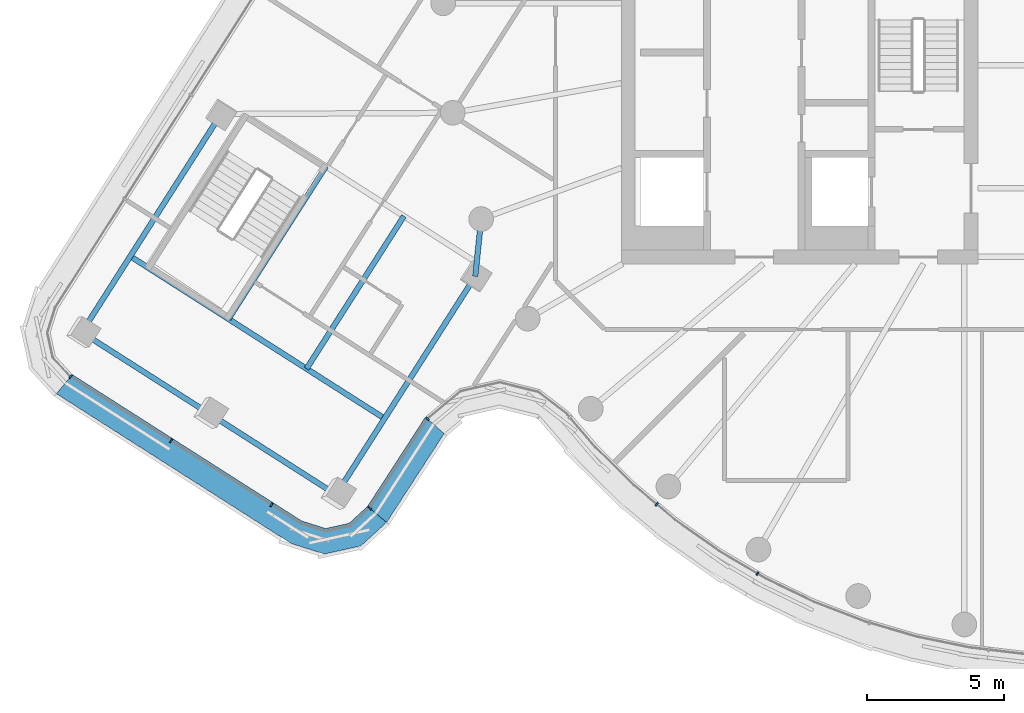
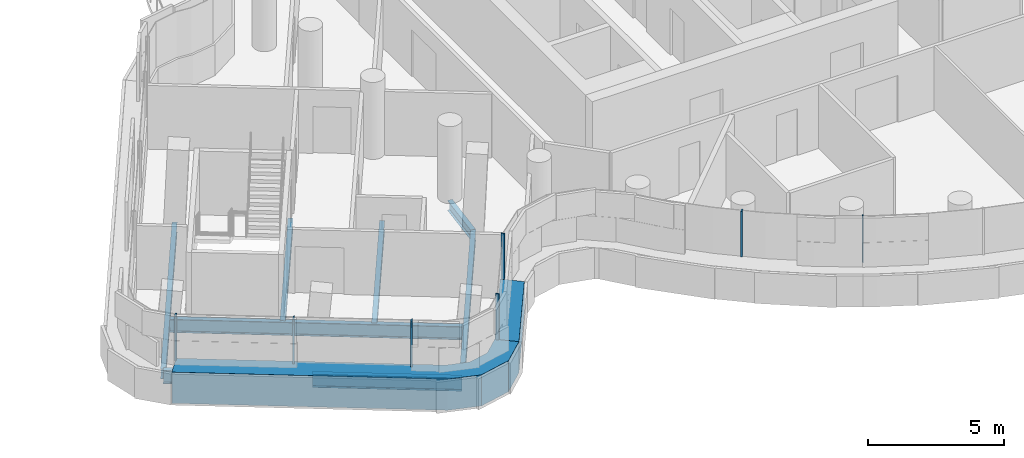
# One storey, part 2 of 27: 9 members, 8 beams, 3 elements without a shape of their own.
"""IFC4 building model written with IfcOpenShell, lengths in metres."""

from ifc_helpers import new_model, si_unit, direction, frame, origin, origin_2d, place, context, subcontext, project, spatial, polyline, rectangle, i_section, outline, extrude, material, layer, layer_set, material_profile, profile_set, type_object, element, aggregate, save


model = new_model("IFC4")

# Units and contexts
model_context = context("Model", 3, precision=1e-05, world=origin(), true_north=direction((0.0, 1.0)))
body_context = subcontext(model_context, "Body", "Model", "MODEL_VIEW")
ifc_project = project(units=[si_unit("LENGTHUNIT", "METRE"), si_unit("AREAUNIT", "SQUARE_METRE"), si_unit("VOLUMEUNIT", "CUBIC_METRE"), si_unit("PLANEANGLEUNIT", "RADIAN"), si_unit("MASSUNIT", "GRAM", prefix="KILO")], contexts=[model_context])

# Site, building, storey
site_placement = place(None, origin())
site = spatial("IfcSite", under=ifc_project, at=site_placement, CompositionType="ELEMENT")
building_placement = place(site_placement, origin())
building = spatial("IfcBuilding", under=site, at=building_placement, Name="Tamarind Cross Interchange Tower", CompositionType="ELEMENT")
storey_placement = place(building_placement, frame((0.0, 0.0, 241.5)))
storey = spatial("IfcBuildingStorey", under=building, at=storey_placement, Name="L61", CompositionType="ELEMENT", Elevation=241.5)

# Beams
ifc_material_1 = material(Name="Steel Q355B", Category="steel")
ifc_material_profile_1 = material_profile(ifc_material_1, i_section(OverallWidth=0.198974609375, OverallDepth=0.446044921875, WebThickness=0.008056640625, FlangeThickness=0.011962890625, FilletRadius=0.012939453125, at=origin_2d()), Name="HN 446x199x8x12")
ifc_profile_set_1 = profile_set([ifc_material_profile_1], Name="Steel Q355B")
beam_type_1 = type_object("IfcBeamType", Name="Composite beam HN 446x199x8x12 Q355B", PredefinedType="BEAM", material=ifc_profile_set_1)
for number, where, z_axis, x_axis, name in (
    (1, (-36.177490234375, -11.997314453125, -0.363037109375), (0.53781569476, 0.843062440434, 0.0), (-0.843062440434, 0.53781569476, 0.0), "Beam W-edgeem4"),
    (2, (-26.904052734375, -17.913330078125, -0.363037109375), (0.537834077314, 0.84305071335, 0.0), (-0.84305071335, 0.537834077314, 0.0), "Beam W-edgeep2"),
):
    element("IfcBeam", number, at=place(storey_placement, frame(where, z_axis=z_axis, x_axis=x_axis)), inside=storey, type_object=beam_type_1, Name=name, PredefinedType="BEAM", context=body_context, shape_type="SweptSolid", body=[
        extrude(i_section(OverallWidth=0.198974609375, OverallDepth=0.446044921875, WebThickness=0.008056640625, FlangeThickness=0.011962890625, FilletRadius=0.012939453125, at=origin_2d()), origin(), (0.0, 0.0, 1.0), 9.439453125),
    ])
beam_1_placement = place(storey_placement, frame((-21.8271484375, -9.955322265625, -0.363037109375), z_axis=(0.10196691125, 0.994787790943, 0.0), x_axis=(-0.994787790943, 0.10196691125, 0.0)))
element("IfcBeam", 3, at=beam_1_placement, inside=storey, type_object=beam_type_1, Name="Beam W-linkep", PredefinedType="BEAM", context=body_context, shape_type="SweptSolid", body=[
    extrude(i_section(OverallWidth=0.198974609375, OverallDepth=0.446044921875, WebThickness=0.008056640625, FlangeThickness=0.011962890625, FilletRadius=0.012939453125, at=origin_2d()), origin(), (0.0, 0.0, 1.0), 2.099853515625),
])
beam_2_placement = place(storey_placement, frame((-27.27587890625, -5.94580078125, -0.363037109375), z_axis=(-0.537830200828, -0.843053186387, 0.0), x_axis=(0.843053186387, -0.537830200828, 0.0)))
element("IfcBeam", 4, at=beam_2_placement, inside=storey, type_object=beam_type_1, Name="Beam W-tr1", PredefinedType="BEAM", context=body_context, shape_type="SweptSolid", body=[
    extrude(i_section(OverallWidth=0.198974609375, OverallDepth=0.446044921875, WebThickness=0.008056640625, FlangeThickness=0.011962890625, FilletRadius=0.012939453125, at=origin_2d()), origin(), (0.0, 0.0, 1.0), 6.599853515625),
])
beam_3_placement = place(storey_placement, frame((-24.430419921875, -7.7607421875, -0.363037109375), z_axis=(-0.537839719122, -0.843047114066, 0.0), x_axis=(0.843047114066, -0.537839719122, 0.0)))
element("IfcBeam", 5, at=beam_3_placement, inside=storey, type_object=beam_type_1, Name="Beam W-stripp", PredefinedType="BEAM", context=body_context, shape_type="SweptSolid", body=[
    extrude(i_section(OverallWidth=0.198974609375, OverallDepth=0.446044921875, WebThickness=0.008056640625, FlangeThickness=0.011962890625, FilletRadius=0.012939453125, at=origin_2d()), origin(), (0.0, 0.0, 1.0), 6.60009765625),
])
ifc_material_profile_2 = material_profile(ifc_material_1, i_section(OverallWidth=0.198974609375, OverallDepth=0.595947265625, WebThickness=0.010009765625, FlangeThickness=0.014892578125, FilletRadius=0.012939453125, at=origin_2d()), Name="HN 596x199x10x15")
ifc_profile_set_2 = profile_set([ifc_material_profile_2], Name="Steel Q355B")
beam_type_2 = type_object("IfcBeamType", Name="Composite beam HN 596x199x10x15 Q355B", PredefinedType="BEAM", material=ifc_profile_set_2)
for number, where, z_axis, x_axis, name in (
    (6, (-36.177490234375, -11.997314453125, -0.43798828125), (0.84305411194, -0.537828750014, 0.0), (0.537828750014, 0.84305411194, 0.0), "Beam W-tip0"),
    (7, (-31.540771484375, -14.955322265625, -0.43798828125), (0.84305411194, -0.537828750014, 0.0), (0.537828750014, 0.84305411194, 0.0), "Beam W-tip1"),
):
    element("IfcBeam", number, at=place(storey_placement, frame(where, z_axis=z_axis, x_axis=x_axis)), inside=storey, type_object=beam_type_2, Name=name, PredefinedType="BEAM", context=body_context, shape_type="SweptSolid", body=[
        extrude(i_section(OverallWidth=0.198974609375, OverallDepth=0.595947265625, WebThickness=0.010009765625, FlangeThickness=0.014892578125, FilletRadius=0.012939453125, at=origin_2d()), origin(), (0.0, 0.0, 1.0), 5.5),
    ])
beam_4_placement = place(storey_placement, frame((-34.408447265625, -9.22412109375, -0.43798828125), z_axis=(0.843060531874, -0.537818686544, 0.0), x_axis=(0.537818686544, 0.843060531874, 0.0)))
element("IfcBeam", 8, at=beam_4_placement, inside=storey, type_object=beam_type_2, Name="Beam W-x364", PredefinedType="BEAM", context=body_context, shape_type="SweptSolid", body=[
    extrude(i_section(OverallWidth=0.198974609375, OverallDepth=0.595947265625, WebThickness=0.010009765625, FlangeThickness=0.014892578125, FilletRadius=0.012939453125, at=origin_2d()), origin(), (0.0, 0.0, 1.0), 11.0),
])

# Curtain wall, member
ifc_material_2 = material(Name="Aluminium 6063-T6", Category="aluminium")
ifc_layer = layer(ifc_material_2, 0.139892578125)
ifc_layer_set = layer_set([ifc_layer], Name="Aluminium 6063-T6")
curtain_wall_type = type_object("IfcCurtainWallType", Name="Hotel curtain wall, 4.5 m bays", PredefinedType="NOTDEFINED", material=ifc_layer_set)
curtain_wall_1_placement = place(storey_placement, origin())
curtain_wall_1 = element("IfcCurtainWall", 9, at=curtain_wall_1_placement, inside=storey, type_object=curtain_wall_type, Name="CWS-L61-00", PredefinedType="NOTDEFINED")
ifc_material_3 = material(Name="Aluminium and insulated spandrel panel", Category="aluminium")
member_type_1 = type_object("IfcMemberType", Name="Floor-edge blade transom", PredefinedType="USERDEFINED", material=ifc_material_3)
member_1_placement = place(storey_placement, origin())
member_1 = element("IfcMember", 10, at=member_1_placement, type_object=member_type_1, Name="CWT-L61-00", ObjectType="TRANSOM", PredefinedType="USERDEFINED", context=body_context, shape_type="SweptSolid", body=[
    extrude(outline(polyline([(-36.521484375, -13.539306640625), (-28.157470703125, -18.875), (-27.28466796875, -19.15087890625), (-26.4306640625, -18.962158203125), (-25.754638671875, -18.343505859375), (-25.06201171875, -18.929443359375), (-26.0009765625, -19.788818359375), (-27.325927734375, -20.081787109375), (-28.541748046875, -19.697509765625), (-37.10546875, -14.234375), (-36.521484375, -13.539306640625)])), origin(), (0.0, 0.0, 1.0), 1.39990234375),
])

curtain_wall_2_placement = place(storey_placement, origin())
curtain_wall_2 = element("IfcCurtainWall", 11, at=curtain_wall_2_placement, inside=storey, type_object=curtain_wall_type, Name="CWS-L61-01", PredefinedType="NOTDEFINED")
member_2_placement = place(storey_placement, origin())
member_2 = element("IfcMember", 12, at=member_2_placement, type_object=member_type_1, Name="CWT-L61-01", ObjectType="TRANSOM", PredefinedType="USERDEFINED", context=body_context, shape_type="SweptSolid", body=[
    extrude(outline(polyline([(-25.754638671875, -18.343505859375), (-23.644775390625, -15.086669921875), (-22.962890625, -15.689453125), (-25.06201171875, -18.929443359375), (-25.754638671875, -18.343505859375)])), origin(), (0.0, 0.0, 1.0), 1.39990234375),
])

# Member
ifc_material_profile_3 = material_profile(ifc_material_2, rectangle(XDim=0.06005859375, YDim=0.139892578125, at=origin_2d()), Name="Mullion CW2")
ifc_profile_set_3 = profile_set([ifc_material_profile_3], Name="Aluminium 6063-T6")
member_type_2 = type_object("IfcMemberType", Name="Mullion CW2", PredefinedType="MULLION", material=ifc_profile_set_3)
member_3_placement = place(storey_placement, frame((-36.586181640625, -13.616455078125, 1.39990234375), z_axis=(0.0, 0.0, 1.0), x_axis=(0.765640416568, -0.643268802693, 0.0)))
member_3 = element("IfcMember", 13, at=member_3_placement, type_object=member_type_2, Name="CWM-L61-00-00", PredefinedType="MULLION", context=body_context, shape_type="SweptSolid", body=[
    extrude(rectangle(XDim=0.06005859375, YDim=0.139892578125, at=origin_2d()), origin(), (0.0, 0.0, 1.0), 2.06005859375),
])

member_4_placement = place(storey_placement, frame((-32.922607421875, -15.95361328125, 1.39990234375), z_axis=(0.0, 0.0, 1.0), x_axis=(0.843053684056, -0.537829420727, 0.0)))
member_4 = element("IfcMember", 14, at=member_4_placement, type_object=member_type_2, Name="CWM-L61-00-01", PredefinedType="MULLION", context=body_context, shape_type="SweptSolid", body=[
    extrude(rectangle(XDim=0.06005859375, YDim=0.139892578125, at=origin_2d()), origin(), (0.0, 0.0, 1.0), 2.06005859375),
])

member_5_placement = place(storey_placement, frame((-29.259033203125, -18.291015625, 1.39990234375), z_axis=(0.0, 0.0, 1.0), x_axis=(0.843053684056, -0.537829420727, 0.0)))
member_5 = element("IfcMember", 15, at=member_5_placement, type_object=member_type_2, Name="CWM-L61-00-02", PredefinedType="MULLION", context=body_context, shape_type="SweptSolid", body=[
    extrude(rectangle(XDim=0.06005859375, YDim=0.139892578125, at=origin_2d()), origin(), (0.0, 0.0, 1.0), 2.06005859375),
])

aggregate(curtain_wall_1, [member_3, member_4, member_5, member_1])

member_6_placement = place(storey_placement, frame((-25.677734375, -18.408447265625, 1.39990234375), z_axis=(0.0, 0.0, 1.0), x_axis=(0.64594601775, 0.763383090036, 0.0)))
member_6 = element("IfcMember", 16, at=member_6_placement, type_object=member_type_2, Name="CWM-L61-01-00", PredefinedType="MULLION", context=body_context, shape_type="SweptSolid", body=[
    extrude(rectangle(XDim=0.06005859375, YDim=0.139892578125, at=origin_2d()), origin(), (0.0, 0.0, 1.0), 2.06005859375),
])

aggregate(curtain_wall_2, [member_6, member_2])

# Curtain wall, members
curtain_wall_3_placement = place(storey_placement, origin())
curtain_wall_3 = element("IfcCurtainWall", 17, at=curtain_wall_3_placement, inside=storey, type_object=curtain_wall_type, Name="CWS-L61-02", PredefinedType="NOTDEFINED")
member_7_placement = place(storey_placement, frame((-23.569091796875, -15.153564453125, 1.39990234375), z_axis=(0.0, 0.0, 1.0), x_axis=(0.662350838706, 0.749193811017, 0.0)))
member_7 = element("IfcMember", 18, at=member_7_placement, type_object=member_type_2, Name="CWM-L61-02-00", PredefinedType="MULLION", context=body_context, shape_type="SweptSolid", body=[
    extrude(rectangle(XDim=0.06005859375, YDim=0.139892578125, at=origin_2d()), origin(), (0.0, 0.0, 1.0), 2.06005859375),
])
member_8_placement = place(storey_placement, frame((-15.2119140625, -18.2724609375, 1.39990234375), z_axis=(0.0, 0.0, 1.0), x_axis=(0.765858396687, -0.643009266048, 0.0)))
member_8 = element("IfcMember", 19, at=member_8_placement, type_object=member_type_2, Name="CWM-L61-02-02", PredefinedType="MULLION", context=body_context, shape_type="SweptSolid", body=[
    extrude(rectangle(XDim=0.06005859375, YDim=0.139892578125, at=origin_2d()), origin(), (0.0, 0.0, 1.0), 2.06005859375),
])
member_9_placement = place(storey_placement, frame((-11.537109375, -20.79833984375, 1.39990234375), z_axis=(0.0, 0.0, 1.0), x_axis=(0.861248933065, -0.508183308752, 0.0)))
member_9 = element("IfcMember", 20, at=member_9_placement, type_object=member_type_2, Name="CWM-L61-02-03", PredefinedType="MULLION", context=body_context, shape_type="SweptSolid", body=[
    extrude(rectangle(XDim=0.06005859375, YDim=0.139892578125, at=origin_2d()), origin(), (0.0, 0.0, 1.0), 2.06005859375),
])
aggregate(curtain_wall_3, [member_7, member_8, member_9])

save(model, "model.ifc")
